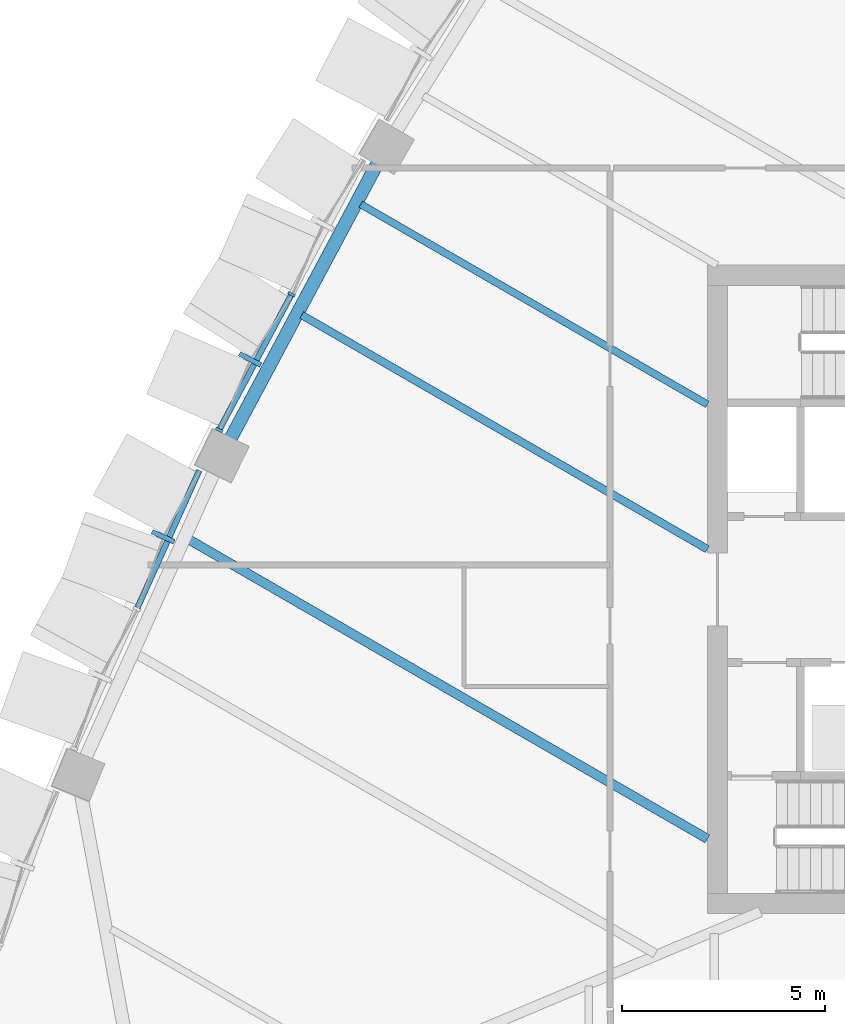
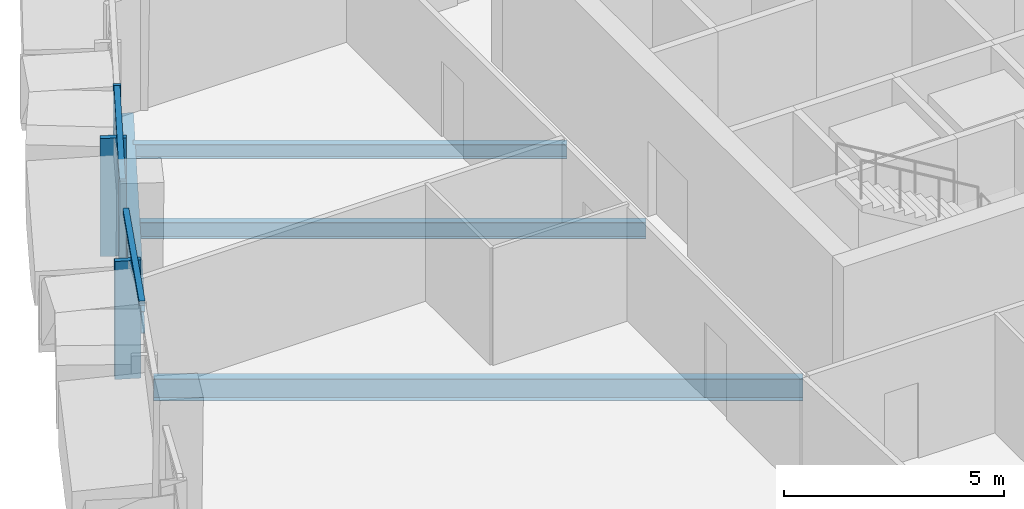
# One storey, part 3 of 18: 6 members, 4 beams, 2 elements without a shape of their own.
"""IFC4 building model written with IfcOpenShell, lengths in metres."""

from ifc_helpers import new_model, si_unit, direction, frame, origin, origin_2d, place, context, subcontext, project, spatial, rectangle, i_section, extrude, material, layer, layer_set, material_profile, profile_set, type_object, element, aggregate, save


model = new_model("IFC4")

# Units and contexts
model_context = context("Model", 3, precision=1e-05, world=origin(), true_north=direction((0.0, 1.0)))
body_context = subcontext(model_context, "Body", "Model", "MODEL_VIEW")
ifc_project = project(units=[si_unit("LENGTHUNIT", "METRE"), si_unit("AREAUNIT", "SQUARE_METRE"), si_unit("VOLUMEUNIT", "CUBIC_METRE"), si_unit("PLANEANGLEUNIT", "RADIAN"), si_unit("MASSUNIT", "GRAM", prefix="KILO")], contexts=[model_context])

# Site, building, storey
site_placement = place(None, origin())
site = spatial("IfcSite", under=ifc_project, at=site_placement, CompositionType="ELEMENT")
building_placement = place(site_placement, origin())
building = spatial("IfcBuilding", under=site, at=building_placement, Name="Sierra Prisma Convention Tower", CompositionType="ELEMENT")
storey_placement = place(building_placement, frame((0.0, 0.0, 137.800048828125)))
storey = spatial("IfcBuildingStorey", under=building, at=storey_placement, Name="L29", CompositionType="ELEMENT", Elevation=137.800048828125)

# Curtain wall, member
ifc_material_1 = material(Name="Aluminium and glass curtain wall", Category="aluminium")
ifc_layer = layer(ifc_material_1, 0.179931640625)
ifc_layer_set = layer_set([ifc_layer], Name="CW-2 Faceted crystal curtain wall")
curtain_wall_type = type_object("IfcCurtainWallType", Name="CW-2 Faceted crystal curtain wall", PredefinedType="NOTDEFINED", material=ifc_layer_set)
curtain_wall_1_placement = place(storey_placement, origin())
curtain_wall_1 = element("IfcCurtainWall", 1, at=curtain_wall_1_placement, inside=storey, type_object=curtain_wall_type, Name="CW-2 NW4 L29", PredefinedType="NOTDEFINED")
ifc_material_2 = material(Name="Aluminium 6063-T6 bronze anodised", Category="aluminium")
ifc_material_profile_1 = material_profile(ifc_material_2, rectangle(XDim=0.1201171875, YDim=0.60009765625, at=origin_2d()), Name="ALU RIDGE BLADE 120x600")
ifc_profile_set_1 = profile_set([ifc_material_profile_1], Name="Aluminium 6063-T6 bronze anodised")
member_type_1 = type_object("IfcMemberType", Name="CW hip bronze", PredefinedType="MULLION", material=ifc_profile_set_1)
member_1_placement = place(storey_placement, frame((-22.283935546875, 5.676025390625, 0.0), z_axis=(0.0, 0.0, 1.0), x_axis=(-0.470704785695, -0.882290771075, 0.0)))
member_1 = element("IfcMember", 2, at=member_1_placement, type_object=member_type_1, Name="CW-2 ridge NW4.2", PredefinedType="MULLION", context=body_context, shape_type="SweptSolid", body=[
    extrude(rectangle(XDim=0.1201171875, YDim=0.60009765625, at=origin_2d()), origin(), (0.0, 0.0, 1.0), 3.280029296875),
])

curtain_wall_2_placement = place(storey_placement, origin())
curtain_wall_2 = element("IfcCurtainWall", 3, at=curtain_wall_2_placement, inside=storey, type_object=curtain_wall_type, Name="CW-2 NW5 L29", PredefinedType="NOTDEFINED")
member_2_placement = place(storey_placement, frame((-24.433349609375, 1.30029296875, 0.0), z_axis=(0.0, 0.0, 1.0), x_axis=(-0.410562360171, -0.911832522128, 0.0)))
member_2 = element("IfcMember", 4, at=member_2_placement, type_object=member_type_1, Name="CW-2 ridge NW5.1", PredefinedType="MULLION", context=body_context, shape_type="SweptSolid", body=[
    extrude(rectangle(XDim=0.1201171875, YDim=0.60009765625, at=origin_2d()), origin(), (0.0, 0.0, 1.0), 3.280029296875),
])

# Member
ifc_material_3 = material(Name="Aluminium 6063-T6 bronze anodised", Category="aluminium")
ifc_material_profile_2 = material_profile(ifc_material_3, rectangle(XDim=0.179931640625, YDim=0.070068359375, at=origin_2d()), Name="ALU MULLION 70x180")
ifc_profile_set_2 = profile_set([ifc_material_profile_2], Name="Aluminium 6063-T6 bronze anodised")
member_type_2 = type_object("IfcMemberType", Name="CW mullion bronze", PredefinedType="MULLION", material=ifc_profile_set_2)
member_3_placement = place(storey_placement, frame((-21.261962890625, 7.280517578125, 0.0), z_axis=(0.0, 0.0, 1.0), x_axis=(0.882290771075, -0.470704785695, 0.0)))
member_3 = element("IfcMember", 5, at=member_3_placement, type_object=member_type_2, Name="CW-1 mullion NW4.2", PredefinedType="MULLION", context=body_context, shape_type="SweptSolid", body=[
    extrude(rectangle(XDim=0.179931640625, YDim=0.070068359375, at=origin_2d()), origin(), (0.0, 0.0, 1.0), 3.39990234375),
])

member_4_placement = place(storey_placement, frame((-23.04736328125, 3.93359375, 0.0), z_axis=(0.0, 0.0, 1.0), x_axis=(0.882290771075, -0.470704785695, 0.0)))
member_4 = element("IfcMember", 6, at=member_4_placement, type_object=member_type_2, Name="CW-1 mullion NW4.3", PredefinedType="MULLION", context=body_context, shape_type="SweptSolid", body=[
    extrude(rectangle(XDim=0.179931640625, YDim=0.070068359375, at=origin_2d()), origin(), (0.0, 0.0, 1.0), 3.39990234375),
])

ifc_material_4 = material(Name="Aluminium 6063-T6 bronze anodised", Category="aluminium")
ifc_material_profile_3 = material_profile(ifc_material_4, rectangle(XDim=0.139892578125, YDim=0.1201171875, at=origin_2d()), Name="ALU TRANSOM 120x140")
ifc_profile_set_3 = profile_set([ifc_material_profile_3], Name="Aluminium 6063-T6 bronze anodised")
member_type_3 = type_object("IfcMemberType", Name="CW transom bronze", PredefinedType="USERDEFINED", material=ifc_profile_set_3)
member_5_placement = place(storey_placement, frame((-21.2783203125, 7.24951171875, 3.33984375), z_axis=(-0.470714148683, -0.882285775829, 0.0), x_axis=(0.882285775829, -0.470714148683, 0.0)))
member_5 = element("IfcMember", 7, at=member_5_placement, type_object=member_type_3, Name="CW-1 transom NW4.2", ObjectType="TRANSOM", PredefinedType="USERDEFINED", context=body_context, shape_type="SweptSolid", body=[
    extrude(rectangle(XDim=0.139892578125, YDim=0.1201171875, at=origin_2d()), origin(), (0.0, 0.0, 1.0), 3.723388671875),
])

aggregate(curtain_wall_1, [member_3, member_4, member_5, member_1])

member_6_placement = place(storey_placement, frame((-23.539306640625, 2.9306640625, 3.33984375), z_axis=(-0.410545396355, -0.911840160078, 0.0), x_axis=(0.911840160078, -0.410545396355, 0.0)))
member_6 = element("IfcMember", 8, at=member_6_placement, type_object=member_type_3, Name="CW-1 transom NW5.1", ObjectType="TRANSOM", PredefinedType="USERDEFINED", context=body_context, shape_type="SweptSolid", body=[
    extrude(rectangle(XDim=0.139892578125, YDim=0.1201171875, at=origin_2d()), origin(), (0.0, 0.0, 1.0), 3.707275390625),
])

aggregate(curtain_wall_2, [member_6, member_2])

# Beams
ifc_material_5 = material(Name="Steel ASTM A992 Gr 50", Category="steel")
ifc_material_profile_4 = material_profile(ifc_material_5, i_section(OverallWidth=0.177978515625, OverallDepth=0.406982421875, WebThickness=0.0078125, FlangeThickness=0.0126953125, at=origin_2d()), Name="W410x60")
ifc_profile_set_4 = profile_set([ifc_material_profile_4], Name="Steel ASTM A992 Gr 50")
beam_type_1 = type_object("IfcBeamType", Name="Floor joist W410x60", PredefinedType="JOIST", material=ifc_profile_set_4)
beam_1_placement = place(storey_placement, frame((-19.552734375, 9.501953125, -0.353515625), z_axis=(0.866033267597, -0.499986379229, 0.0), x_axis=(0.499986379229, 0.866033267597, 0.0)))
element("IfcBeam", 9, at=beam_1_placement, inside=storey, type_object=beam_type_1, Name="Floor joist L29 NW09", PredefinedType="JOIST", context=body_context, shape_type="SweptSolid", body=[
    extrude(i_section(OverallWidth=0.177978515625, OverallDepth=0.406982421875, WebThickness=0.0078125, FlangeThickness=0.0126953125, at=origin_2d()), origin(), (0.0, 0.0, 1.0), 9.875732421875),
])
ifc_material_6 = material(Name="Steel ASTM A992 Gr 50", Category="steel")
ifc_material_profile_5 = material_profile(ifc_material_6, i_section(OverallWidth=0.18994140625, OverallDepth=0.45703125, WebThickness=0.009033203125, FlangeThickness=0.014404296875, at=origin_2d()), Name="W460x74")
ifc_profile_set_5 = profile_set([ifc_material_profile_5], Name="Steel ASTM A992 Gr 50")
beam_type_2 = type_object("IfcBeamType", Name="Floor joist W460x74", PredefinedType="JOIST", material=ifc_profile_set_5)
beam_2_placement = place(storey_placement, frame((-21.01025390625, 6.77001953125, -0.378662109375), z_axis=(0.866020974757, -0.500007671222, 0.0), x_axis=(0.500007671222, 0.866020974757, 0.0)))
element("IfcBeam", 10, at=beam_2_placement, inside=storey, type_object=beam_type_2, Name="Floor joist L29 NW10", PredefinedType="JOIST", context=body_context, shape_type="SweptSolid", body=[
    extrude(i_section(OverallWidth=0.18994140625, OverallDepth=0.45703125, WebThickness=0.009033203125, FlangeThickness=0.014404296875, at=origin_2d()), origin(), (0.0, 0.0, 1.0), 11.558837890625),
])
ifc_material_7 = material(Name="Steel ASTM A992 Gr 50", Category="steel")
ifc_material_profile_6 = material_profile(ifc_material_7, i_section(OverallWidth=0.22802734375, OverallDepth=0.60302734375, WebThickness=0.010498046875, FlangeThickness=0.014892578125, at=origin_2d()), Name="W610x101")
ifc_profile_set_6 = profile_set([ifc_material_profile_6], Name="Steel ASTM A992 Gr 50")
beam_type_3 = type_object("IfcBeamType", Name="Floor joist W610x101", PredefinedType="JOIST", material=ifc_profile_set_6)
beam_3_placement = place(storey_placement, frame((-23.796875, 1.231689453125, -0.45166015625), z_axis=(0.866028206191, -0.499995146058, 0.0), x_axis=(0.499995146058, 0.866028206191, 0.0)))
element("IfcBeam", 11, at=beam_3_placement, inside=storey, type_object=beam_type_3, Name="Floor joist L29 NW12", PredefinedType="JOIST", context=body_context, shape_type="SweptSolid", body=[
    extrude(i_section(OverallWidth=0.22802734375, OverallDepth=0.60302734375, WebThickness=0.010498046875, FlangeThickness=0.014892578125, at=origin_2d()), origin(), (0.0, 0.0, 1.0), 14.776611328125),
])
ifc_material_8 = material(Name="Steel ASTM A992 Gr 50", Category="steel")
ifc_material_profile_7 = material_profile(ifc_material_8, i_section(OverallWidth=0.324951171875, OverallDepth=0.615966796875, WebThickness=0.013916015625, FlangeThickness=0.021484375, at=origin_2d()), Name="W610x174")
ifc_profile_set_7 = profile_set([ifc_material_profile_7], Name="Steel ASTM A992 Gr 50")
beam_type_4 = type_object("IfcBeamType", Name="Spandrel beam W610x174", PredefinedType="BEAM", material=ifc_profile_set_7)
beam_4_placement = place(storey_placement, frame((-19.100341796875, 10.5888671875, -0.4580078125), z_axis=(-0.47069911244, -0.88229379775, 0.0), x_axis=(0.88229379775, -0.47069911244, 0.0)))
element("IfcBeam", 12, at=beam_4_placement, inside=storey, type_object=beam_type_4, Name="Spandrel L29-16", PredefinedType="BEAM", context=body_context, shape_type="SweptSolid", body=[
    extrude(i_section(OverallWidth=0.324951171875, OverallDepth=0.615966796875, WebThickness=0.013916015625, FlangeThickness=0.021484375, at=origin_2d()), origin(), (0.0, 0.0, 1.0), 7.885498046875),
])

save(model, "model.ifc")
